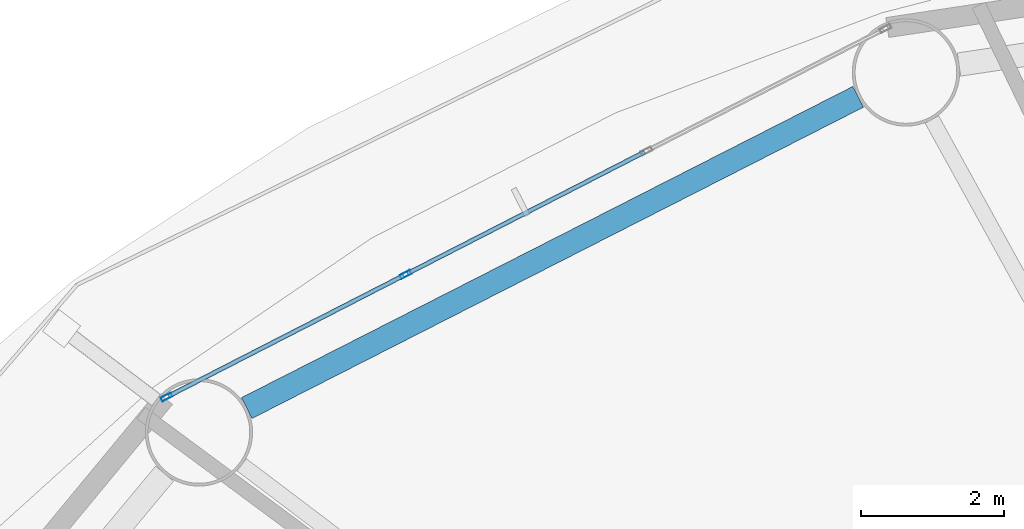
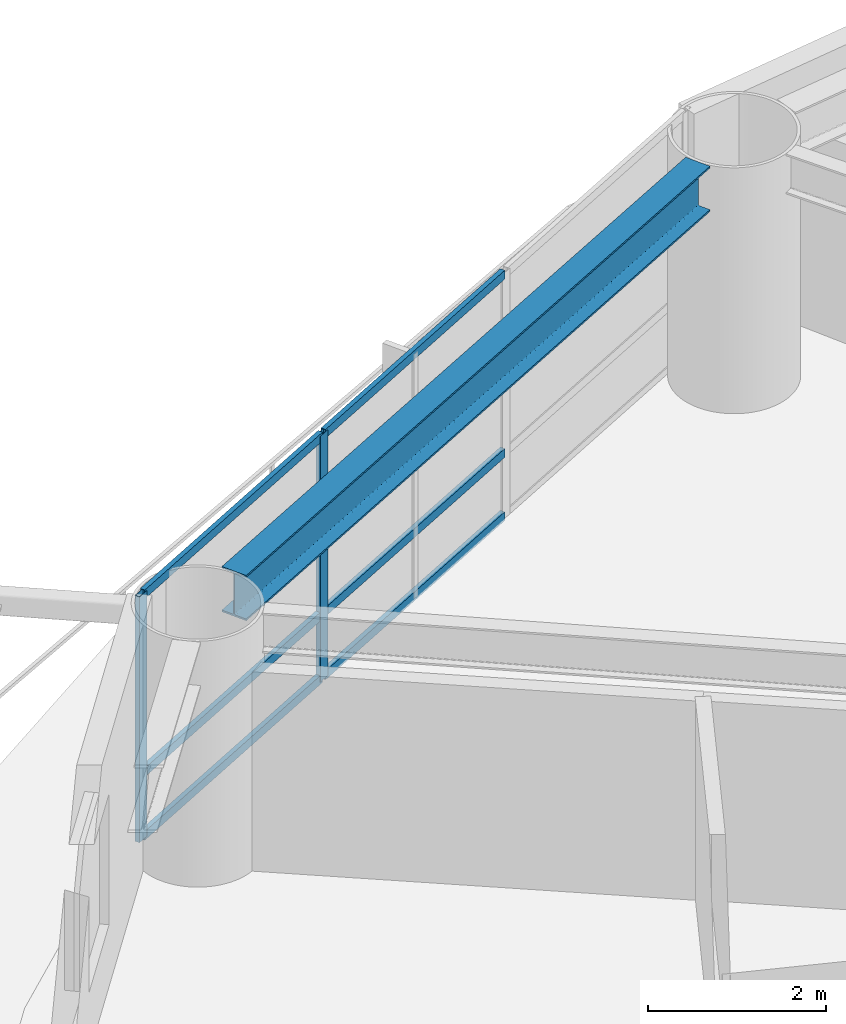
# One storey, part 10 of 28: 8 members, 1 beam, 1 element without a shape of its own.
"""IFC4 building model written with IfcOpenShell, lengths in metres."""

from ifc_helpers import new_model, si_unit, direction, frame, origin, origin_2d, place, context, subcontext, project, spatial, hollow_rectangle, i_section, extrude, material, layer, layer_set, material_profile, profile_set, type_object, element, aggregate, save


model = new_model("IFC4")

# Units and contexts
model_context = context("Model", 3, precision=1e-05, world=origin(), true_north=direction((0.0, 1.0)))
body_context = subcontext(model_context, "Body", "Model", "MODEL_VIEW")
ifc_project = project(units=[si_unit("LENGTHUNIT", "METRE"), si_unit("AREAUNIT", "SQUARE_METRE"), si_unit("VOLUMEUNIT", "CUBIC_METRE"), si_unit("PLANEANGLEUNIT", "RADIAN"), si_unit("MASSUNIT", "GRAM", prefix="KILO")], contexts=[model_context])

# Site, building, storey
site_placement = place(None, origin())
site = spatial("IfcSite", under=ifc_project, at=site_placement, CompositionType="ELEMENT")
building_placement = place(site_placement, origin())
building = spatial("IfcBuilding", under=site, at=building_placement, Name="Sarneth Arch Tower", CompositionType="ELEMENT")
storey_placement = place(building_placement, frame((0.0, 0.0, 31.800048828125)))
storey = spatial("IfcBuildingStorey", under=building, at=storey_placement, Name="L06", CompositionType="ELEMENT", Elevation=31.800048828125)

# Beam
ifc_material_1 = material(Name="Steel S355", Category="steel")
ifc_material_profile_1 = material_profile(ifc_material_1, i_section(OverallWidth=0.326904296875, OverallDepth=0.6220703125, WebThickness=0.015380859375, FlangeThickness=0.0244140625, FilletRadius=0.01904296875, at=origin_2d()), Name="W610x195")
ifc_profile_set_1 = profile_set([ifc_material_profile_1], Name="Steel S355")
beam_type = type_object("IfcBeamType", Name="BM-SPAN-610A", PredefinedType="SPANDREL", material=ifc_profile_set_1)
beam_placement = place(storey_placement, frame((35.513916015625, 63.09375, 3.06884765625), z_axis=(-0.891169106887, -0.453671271882, 0.0), x_axis=(0.453671271882, -0.891169106887, 0.0)))
element("IfcBeam", 1, at=beam_placement, inside=storey, type_object=beam_type, Name="L06 Perimeter spandrel beam 06", PredefinedType="SPANDREL", context=body_context, shape_type="SweptSolid", body=[
    extrude(i_section(OverallWidth=0.326904296875, OverallDepth=0.6220703125, WebThickness=0.015380859375, FlangeThickness=0.0244140625, FilletRadius=0.01904296875, at=origin_2d()), origin(), (0.0, 0.0, 1.0), 9.58544921875),
])

# Curtain wall, members
ifc_material_2 = material(Name="Anodised aluminium Type AA25 and solar-control low-e laminated IGU", Category="aluminium")
ifc_layer = layer(ifc_material_2, 0.159912109375)
ifc_layer_set = layer_set([ifc_layer], Name="Anodised aluminium Type AA25 and solar-control low-e laminated IGU")
curtain_wall_type = type_object("IfcCurtainWallType", Name="CW-HOTEL-LOW", PredefinedType="NOTDEFINED", material=ifc_layer_set)
curtain_wall_placement = place(storey_placement, origin())
curtain_wall = element("IfcCurtainWall", 2, at=curtain_wall_placement, inside=storey, type_object=curtain_wall_type, Name="L06 Unitised curtain wall facet 06", PredefinedType="NOTDEFINED")
ifc_material_3 = material(Name="Anodised Aluminium 6063-T6", Category="aluminium")
ifc_material_profile_2 = material_profile(ifc_material_3, hollow_rectangle(XDim=0.06005859375, YDim=0.159912109375, WallThickness=0.00390625, at=origin_2d()), Name="AL-MULL-160x60x4")
ifc_profile_set_2 = profile_set([ifc_material_profile_2], Name="Anodised Aluminium 6063-T6")
member_type_1 = type_object("IfcMemberType", Name="CW-MULLION", PredefinedType="MULLION", material=ifc_profile_set_2)
member_1_placement = place(storey_placement, frame((29.19140625, 60.611328125, 0.0), z_axis=(0.0, 0.0, 1.0), x_axis=(0.456245197127, -0.889854100456, 0.0)))
member_1 = element("IfcMember", 3, at=member_1_placement, type_object=member_type_1, Name="CW-SYS-3 mullion 3", PredefinedType="MULLION", context=body_context, shape_type="SweptSolid", body=[
    extrude(hollow_rectangle(XDim=0.06005859375, YDim=0.159912109375, WallThickness=0.00390625, at=origin_2d()), origin(), (0.0, 0.0, 1.0), 3.3798828125),
])
member_2_placement = place(storey_placement, frame((25.8525390625, 58.8994140625, 0.0), z_axis=(0.0, 0.0, 1.0), x_axis=(0.456245197127, -0.889854100456, 0.0)))
member_2 = element("IfcMember", 4, at=member_2_placement, type_object=member_type_1, Name="CW-SYS-3 mullion 4", PredefinedType="MULLION", context=body_context, shape_type="SweptSolid", body=[
    extrude(hollow_rectangle(XDim=0.06005859375, YDim=0.159912109375, WallThickness=0.00390625, at=origin_2d()), origin(), (0.0, 0.0, 1.0), 3.3798828125),
])
ifc_material_4 = material(Name="Anodised Aluminium 6063-T6", Category="aluminium")
ifc_material_profile_3 = material_profile(ifc_material_4, hollow_rectangle(XDim=0.06005859375, YDim=0.1201171875, WallThickness=0.00390625, at=origin_2d()), Name="AL-TRAN-120x60x4")
ifc_profile_set_3 = profile_set([ifc_material_profile_3], Name="Anodised Aluminium 6063-T6")
member_type_2 = type_object("IfcMemberType", Name="CW-TRANSOM", PredefinedType="USERDEFINED", material=ifc_profile_set_3)
member_3_placement = place(storey_placement, frame((32.530029296875, 62.322998046875, 0.030029296875), z_axis=(-0.889868677022, -0.456216766083, 0.0), x_axis=(0.456216766083, -0.889868677022, 0.0)))
member_3 = element("IfcMember", 5, at=member_3_placement, type_object=member_type_2, Name="CW-SYS-3 transom 2.1", ObjectType="TRANSOM", PredefinedType="USERDEFINED", context=body_context, shape_type="SweptSolid", body=[
    extrude(hollow_rectangle(XDim=0.06005859375, YDim=0.1201171875, WallThickness=0.00390625, at=origin_2d()), origin(), (0.0, 0.0, 1.0), 3.721923828125),
])
member_4_placement = place(storey_placement, frame((32.530029296875, 62.322998046875, 0.89990234375), z_axis=(-0.889868677022, -0.456216766083, 0.0), x_axis=(0.456216766083, -0.889868677022, 0.0)))
member_4 = element("IfcMember", 6, at=member_4_placement, type_object=member_type_2, Name="CW-SYS-3 transom 2.2", ObjectType="TRANSOM", PredefinedType="USERDEFINED", context=body_context, shape_type="SweptSolid", body=[
    extrude(hollow_rectangle(XDim=0.06005859375, YDim=0.1201171875, WallThickness=0.00390625, at=origin_2d()), origin(), (0.0, 0.0, 1.0), 3.721923828125),
])
member_5_placement = place(storey_placement, frame((32.530029296875, 62.322998046875, 3.349853515625), z_axis=(-0.889868677022, -0.456216766083, 0.0), x_axis=(0.456216766083, -0.889868677022, 0.0)))
member_5 = element("IfcMember", 7, at=member_5_placement, type_object=member_type_2, Name="CW-SYS-3 transom 2.3", ObjectType="TRANSOM", PredefinedType="USERDEFINED", context=body_context, shape_type="SweptSolid", body=[
    extrude(hollow_rectangle(XDim=0.06005859375, YDim=0.1201171875, WallThickness=0.00390625, at=origin_2d()), origin(), (0.0, 0.0, 1.0), 3.721923828125),
])
member_6_placement = place(storey_placement, frame((29.16455078125, 60.597412109375, 0.030029296875), z_axis=(-0.889871845224, -0.456210586327, 0.0), x_axis=(0.456210586327, -0.889871845224, 0.0)))
member_6 = element("IfcMember", 8, at=member_6_placement, type_object=member_type_2, Name="CW-SYS-3 transom 3.1", ObjectType="TRANSOM", PredefinedType="USERDEFINED", context=body_context, shape_type="SweptSolid", body=[
    extrude(hollow_rectangle(XDim=0.06005859375, YDim=0.1201171875, WallThickness=0.00390625, at=origin_2d()), origin(), (0.0, 0.0, 1.0), 3.69189453125),
])
member_7_placement = place(storey_placement, frame((29.16455078125, 60.597412109375, 0.89990234375), z_axis=(-0.889871845224, -0.456210586327, 0.0), x_axis=(0.456210586327, -0.889871845224, 0.0)))
member_7 = element("IfcMember", 9, at=member_7_placement, type_object=member_type_2, Name="CW-SYS-3 transom 3.2", ObjectType="TRANSOM", PredefinedType="USERDEFINED", context=body_context, shape_type="SweptSolid", body=[
    extrude(hollow_rectangle(XDim=0.06005859375, YDim=0.1201171875, WallThickness=0.00390625, at=origin_2d()), origin(), (0.0, 0.0, 1.0), 3.69189453125),
])
member_8_placement = place(storey_placement, frame((29.16455078125, 60.597412109375, 3.349853515625), z_axis=(-0.889871845224, -0.456210586327, 0.0), x_axis=(0.456210586327, -0.889871845224, 0.0)))
member_8 = element("IfcMember", 10, at=member_8_placement, type_object=member_type_2, Name="CW-SYS-3 transom 3.3", ObjectType="TRANSOM", PredefinedType="USERDEFINED", context=body_context, shape_type="SweptSolid", body=[
    extrude(hollow_rectangle(XDim=0.06005859375, YDim=0.1201171875, WallThickness=0.00390625, at=origin_2d()), origin(), (0.0, 0.0, 1.0), 3.69189453125),
])
aggregate(curtain_wall, [member_1, member_2, member_3, member_4, member_5, member_6, member_7, member_8])

save(model, "model.ifc")
